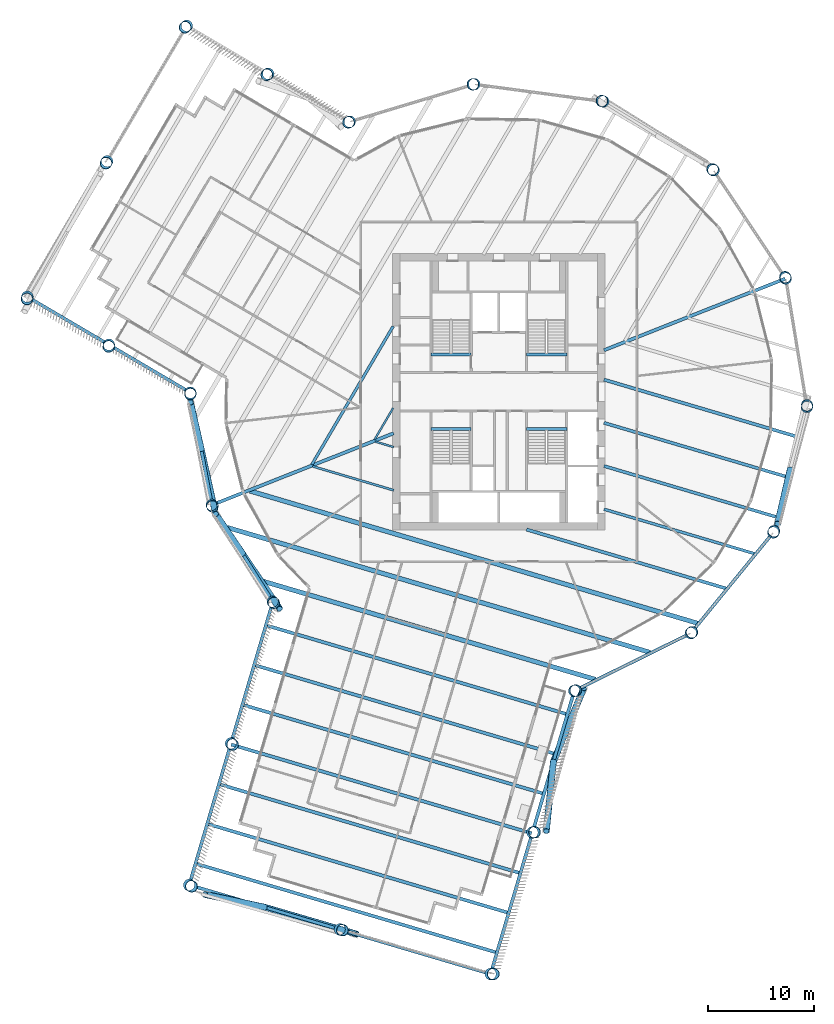
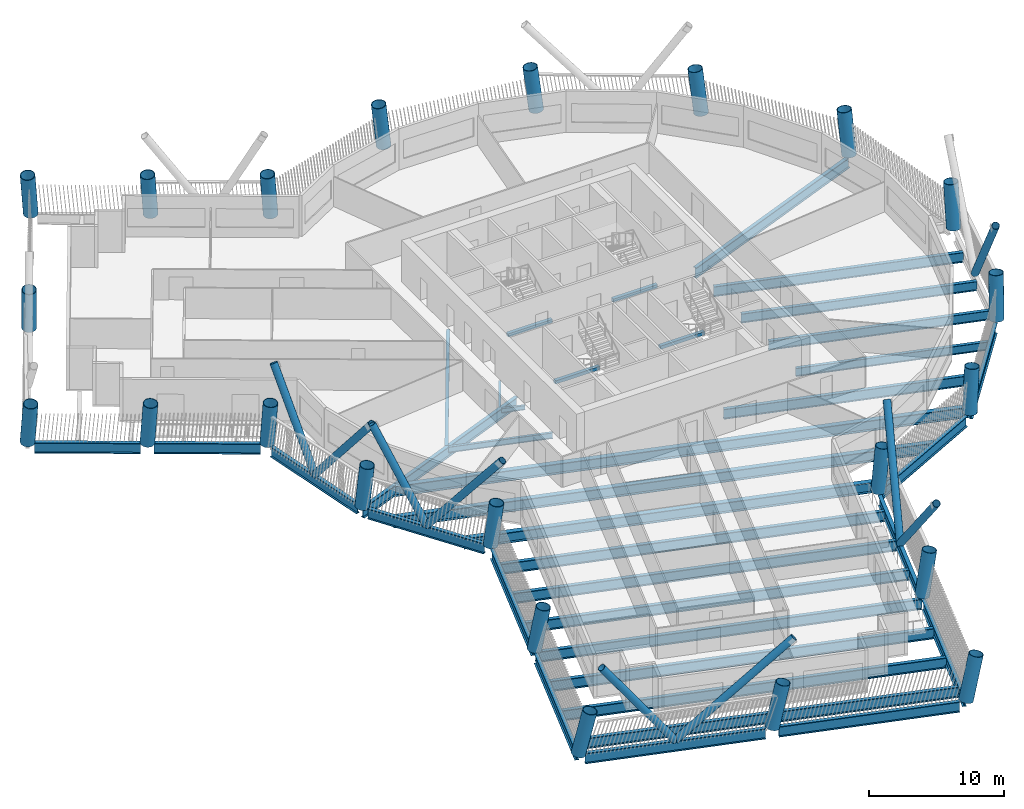
# One storey, part 1 of 23: 37 beams, 22 columns, 9 members.
"""IFC4 building model written with IfcOpenShell, lengths in metres."""

from ifc_helpers import new_model, si_unit, direction, frame, origin, origin_2d, place, context, subcontext, project, spatial, rectangle, hollow_circle, i_section, extrude, material, material_profile, profile_set, type_object, element, save


model = new_model("IFC4")

# Units and contexts
model_context = context("Model", 3, precision=1e-05, world=origin(), true_north=direction((0.0, 1.0)))
body_context = subcontext(model_context, "Body", "Model", "MODEL_VIEW")
ifc_project = project(units=[si_unit("LENGTHUNIT", "METRE"), si_unit("AREAUNIT", "SQUARE_METRE"), si_unit("VOLUMEUNIT", "CUBIC_METRE"), si_unit("PLANEANGLEUNIT", "RADIAN"), si_unit("MASSUNIT", "GRAM", prefix="KILO")], contexts=[model_context])

# Site, building, storey
site_placement = place(None, origin())
site = spatial("IfcSite", under=ifc_project, at=site_placement, CompositionType="ELEMENT")
building_placement = place(site_placement, origin())
building = spatial("IfcBuilding", under=site, at=building_placement, Name="Tarsis Ring Headquarters", CompositionType="ELEMENT")
storey_placement = place(building_placement, frame((0.0, 0.0, 155.39990234375)))
storey = spatial("IfcBuildingStorey", under=building, at=storey_placement, Name="L35", CompositionType="ELEMENT", Elevation=155.39990234375)

# Columns
ifc_material_1 = material(Name="Structural steel S355", Category="steel")
ifc_material_profile_1 = material_profile(ifc_material_1, hollow_circle(Radius=0.558837890625, WallThickness=0.044921875, at=origin_2d()), Name="CHS 1118x45")
ifc_profile_set_1 = profile_set([ifc_material_profile_1], Name="Structural steel S355")
column_type = type_object("IfcColumnType", Name="XC Exo column CHS 1118x45", PredefinedType="COLUMN", material=ifc_profile_set_1)
for number, where, z_axis, x_axis, name in (
    (1, (-27.019775390625, -10.665283203125, 0.001220703125), (0.04354610156, -0.107745497002, 0.993224367862), (0.927141722235, 0.374710857716, 0.0), "Exo column XC4 F1"),
    (2, (-21.27587890625, -19.77783203125, 0.001220703125), (0.079813717034, -0.0844793669, 0.993223543389), (0.726894387202, 0.686749262725, 0.0), "Exo column XC4 AK"),
):
    element("IfcColumn", number, at=place(storey_placement, frame(where, z_axis=z_axis, x_axis=x_axis)), inside=storey, type_object=column_type, Name=name, PredefinedType="COLUMN", context=body_context, shape_type="SweptSolid", body=[
        extrude(hollow_circle(Radius=0.558837890625, WallThickness=0.044921875, at=origin_2d()), origin(), (0.0, 0.0, 1.0), 3.924560546875),
    ])
column_1_placement = place(storey_placement, frame((-25.21484375, -33.1103515625, 0.00146484375), z_axis=(0.132338670116, -0.099099545689, 0.986238184434), x_axis=(0.599401925268, 0.800448206935, 0.0)))
element("IfcColumn", 3, at=column_1_placement, inside=storey, type_object=column_type, Name="Exo column XC4 AI1", PredefinedType="COLUMN", context=body_context, shape_type="SweptSolid", body=[
    extrude(hollow_circle(Radius=0.558837890625, WallThickness=0.044921875, at=origin_2d()), origin(), (0.0, 0.0, 1.0), 3.95166015625),
])
column_2_placement = place(storey_placement, frame((-29.15380859375, -46.44287109375, 0.001708984375), z_axis=(0.183536529718, -0.113180859993, 0.976475516944), x_axis=(0.524888702996, 0.851170869724, 0.0)))
element("IfcColumn", 4, at=column_2_placement, inside=storey, type_object=column_type, Name="Exo column XC4 AT1", PredefinedType="COLUMN", context=body_context, shape_type="SweptSolid", body=[
    extrude(hollow_circle(Radius=0.558837890625, WallThickness=0.044921875, at=origin_2d()), origin(), (0.0, 0.0, 1.0), 3.99072265625),
])
column_3_placement = place(storey_placement, frame((-14.96044921875, -50.63623046875, 0.001708984375), z_axis=(0.1999633577, -0.05736000699, 0.978122939704), x_axis=(0.275732573349, 0.961234387647, 0.0)))
element("IfcColumn", 5, at=column_3_placement, inside=storey, type_object=column_type, Name="Exo column XC4 AT2", PredefinedType="COLUMN", context=body_context, shape_type="SweptSolid", body=[
    extrude(hollow_circle(Radius=0.558837890625, WallThickness=0.044921875, at=origin_2d()), origin(), (0.0, 0.0, 1.0), 3.98388671875),
])
column_4_placement = place(storey_placement, frame((-0.766845703125, -54.82958984375, 0.001708984375), z_axis=(0.215653965902, -0.001345925461, 0.97646892192), x_axis=(0.006241013204, 0.999980524687, 0.0)))
element("IfcColumn", 6, at=column_4_placement, inside=storey, type_object=column_type, Name="Exo column XC4 AT3", PredefinedType="COLUMN", context=body_context, shape_type="SweptSolid", body=[
    extrude(hollow_circle(Radius=0.558837890625, WallThickness=0.044921875, at=origin_2d()), origin(), (0.0, 0.0, 1.0), 3.99072265625),
])
column_5_placement = place(storey_placement, frame((3.172119140625, -41.4970703125, 0.00146484375), z_axis=(0.164773821784, 0.013901053581, 0.986233414747), x_axis=(-0.084065821464, 0.996460203752, 0.0)))
element("IfcColumn", 7, at=column_5_placement, inside=storey, type_object=column_type, Name="Exo column XC4 AO1", PredefinedType="COLUMN", context=body_context, shape_type="SweptSolid", body=[
    extrude(hollow_circle(Radius=0.558837890625, WallThickness=0.044921875, at=origin_2d()), origin(), (0.0, 0.0, 1.0), 3.95166015625),
])
for number, where, z_axis, x_axis, name in (
    (8, (7.111083984375, -28.16455078125, 0.001220703125), (0.112473167724, 0.02930025553, 0.993222674715), (-0.252095058649, 0.967702475663, 0.0), "Exo column XC4 AJ"),
    (9, (18.088134765625, -22.7294921875, 0.001220703125), (0.090389324386, 0.073033081094, 0.99322501937), (-0.628474164109, 0.77783046035, 0.0), "Exo column XC4 R1"),
    (10, (25.84912109375, -13.253173828125, 0.001220703125), (0.052193147694, 0.10382641657, 0.993225025136), (-0.893461525376, 0.449139736244, 0.0), "Exo column XC4 R2"),
    (11, (29.013671875, -1.420166015625, 0.001220703125), (0.004790089144, 0.116081900543, 0.993228094353), (-0.999149696478, 0.041229649855, 0.0), "Exo column XC4 R3"),
    (12, (27.019775390625, 10.665283203125, 0.001220703125), (-0.04354610156, 0.107745497002, 0.993224367862), (-0.927141722235, -0.374710857716, 0.0), "Exo column XC4 R4"),
    (13, (20.221435546875, 20.8544921875, 0.001220703125), (-0.084044480468, 0.080187516894, 0.993230329499), (-0.690310145633, -0.723513581653, 0.0), "Exo column XC4 R5"),
    (14, (9.827880859375, 27.33544921875, 0.001220703125), (-0.109673910128, 0.038444966795, 0.993223850884), (-0.330803408116, -0.943699690144, 0.0), "Exo column XC4 R6"),
    (15, (-2.313232421875, 28.956298828125, 0.001220703125), (-0.115770333396, -0.01020222175, 0.993223612575), (0.087784458249, -0.996139492687, 0.0), "Exo column XC4 R7"),
    (16, (-14.043212890625, 25.428466796875, 0.001220703125), (-0.101275865735, -0.056983226667, 0.993225105854), (0.490362901471, -0.871518344535, 0.0), "Exo column XC4 BJ"),
):
    element("IfcColumn", number, at=place(storey_placement, frame(where, z_axis=z_axis, x_axis=x_axis)), inside=storey, type_object=column_type, Name=name, PredefinedType="COLUMN", context=body_context, shape_type="SweptSolid", body=[
        extrude(hollow_circle(Radius=0.558837890625, WallThickness=0.044921875, at=origin_2d()), origin(), (0.0, 0.0, 1.0), 3.924560546875),
    ])
column_6_placement = place(storey_placement, frame((-21.716796875, 29.941162109375, 0.001220703125), z_axis=(-0.118579180494, -0.087416522297, 0.989089141373), x_axis=(0.593385510474, -0.804918403293, 0.0)))
element("IfcColumn", 17, at=column_6_placement, inside=storey, type_object=column_type, Name="Exo column XC4 BO1", PredefinedType="COLUMN", context=body_context, shape_type="SweptSolid", body=[
    extrude(hollow_circle(Radius=0.558837890625, WallThickness=0.044921875, at=origin_2d()), origin(), (0.0, 0.0, 1.0), 3.940673828125),
])
column_7_placement = place(storey_placement, frame((-29.390380859375, 34.4541015625, 0.00146484375), z_axis=(-0.135582046445, -0.117524982986, 0.983771003362), x_axis=(0.654995917175, -0.755632416248, 0.0)))
element("IfcColumn", 18, at=column_7_placement, inside=storey, type_object=column_type, Name="Exo column XC4 BT3", PredefinedType="COLUMN", context=body_context, shape_type="SweptSolid", body=[
    extrude(hollow_circle(Radius=0.558837890625, WallThickness=0.044921875, at=origin_2d()), origin(), (0.0, 0.0, 1.0), 3.96142578125),
])
column_8_placement = place(storey_placement, frame((-36.89306640625, 21.69677734375, 0.00146484375), z_axis=(-0.084946455589, -0.147112938712, 0.985465312909), x_axis=(0.865997973348, -0.5000475079, 0.0)))
element("IfcColumn", 19, at=column_8_placement, inside=storey, type_object=column_type, Name="Exo column XC4 BT2", PredefinedType="COLUMN", context=body_context, shape_type="SweptSolid", body=[
    extrude(hollow_circle(Radius=0.558837890625, WallThickness=0.044921875, at=origin_2d()), origin(), (0.0, 0.0, 1.0), 3.95458984375),
])
column_9_placement = place(storey_placement, frame((-44.3955078125, 8.939208984375, 0.00146484375), z_axis=(-0.03408056941, -0.176134299049, 0.983776002699), x_axis=(0.981790185853, -0.189968499922, 0.0)))
element("IfcColumn", 20, at=column_9_placement, inside=storey, type_object=column_type, Name="Exo column XC4 BT1", PredefinedType="COLUMN", context=body_context, shape_type="SweptSolid", body=[
    extrude(hollow_circle(Radius=0.558837890625, WallThickness=0.044921875, at=origin_2d()), origin(), (0.0, 0.0, 1.0), 3.96142578125),
])
column_10_placement = place(storey_placement, frame((-36.721923828125, 4.426513671875, 0.001220703125), z_axis=(-0.016479649645, -0.146396286132, 0.989088746551), x_axis=(0.99372372205, -0.111862255635, 0.0)))
element("IfcColumn", 21, at=column_10_placement, inside=storey, type_object=column_type, Name="Exo column XC4 BI1", PredefinedType="COLUMN", context=body_context, shape_type="SweptSolid", body=[
    extrude(hollow_circle(Radius=0.558837890625, WallThickness=0.044921875, at=origin_2d()), origin(), (0.0, 0.0, 1.0), 3.940673828125),
])
column_11_placement = place(storey_placement, frame((-29.04833984375, -0.08642578125, 0.001220703125), z_axis=(0.001244183322, -0.116144513121, 0.993231546056), x_axis=(0.999942627472, 0.010711758195, 0.0)))
element("IfcColumn", 22, at=column_11_placement, inside=storey, type_object=column_type, Name="Exo column XC4 BK", PredefinedType="COLUMN", context=body_context, shape_type="SweptSolid", body=[
    extrude(hollow_circle(Radius=0.558837890625, WallThickness=0.044921875, at=origin_2d()), origin(), (0.0, 0.0, 1.0), 3.924560546875),
])

# Beams
ifc_material_profile_2 = material_profile(ifc_material_1, i_section(OverallWidth=0.177734375, OverallDepth=0.406494140625, WebThickness=0.0078125, FlangeThickness=0.0126953125, at=origin_2d()), Name="W16x40")
ifc_profile_set_2 = profile_set([ifc_material_profile_2], Name="Structural steel S355")
beam_type_1 = type_object("IfcBeamType", Name="FB Floor beam W16x40", PredefinedType="JOIST", material=ifc_profile_set_2)
beam_1_placement = place(storey_placement, frame((-11.638916015625, -4.694580078125, -0.363037109375), z_axis=(0.959036042855, -0.283284077393, 0.0), x_axis=(0.283284077393, 0.959036042855, 0.0)))
element("IfcBeam", 23, at=beam_1_placement, inside=storey, type_object=beam_type_1, Name="Floor beam FB1", PredefinedType="JOIST", context=body_context, shape_type="SweptSolid", body=[
    extrude(i_section(OverallWidth=0.177734375, OverallDepth=0.406494140625, WebThickness=0.0078125, FlangeThickness=0.0126953125, at=origin_2d()), origin(), (0.0, 0.0, 1.0), 1.80908203125),
])
beam_2_placement = place(storey_placement, frame((-9.94921875, -1.531005859375, -0.363037109375), z_axis=(-0.506940145332, -0.861981257947, 0.0), x_axis=(0.861981257947, -0.506940145332, 0.0)))
element("IfcBeam", 24, at=beam_2_placement, inside=storey, type_object=beam_type_1, Name="Floor beam FB1", PredefinedType="JOIST", context=body_context, shape_type="SweptSolid", body=[
    extrude(i_section(OverallWidth=0.177734375, OverallDepth=0.406494140625, WebThickness=0.0078125, FlangeThickness=0.0126953125, at=origin_2d()), origin(), (0.0, 0.0, 1.0), 3.468505859375),
])
ifc_material_profile_3 = material_profile(ifc_material_1, i_section(OverallWidth=0.209228515625, OverallDepth=0.533447265625, WebThickness=0.01025390625, FlangeThickness=0.015625, at=origin_2d()), Name="W21x62")
ifc_profile_set_3 = profile_set([ifc_material_profile_3], Name="Structural steel S355")
beam_type_2 = type_object("IfcBeamType", Name="FB Floor beam W21x62", PredefinedType="JOIST", material=ifc_profile_set_3)
beam_3_placement = place(storey_placement, frame((-17.53125, -7.020263671875, -0.426513671875), z_axis=(0.959020172571, -0.283337799457, 0.0), x_axis=(0.283337799457, 0.959020172571, 0.0)))
element("IfcBeam", 25, at=beam_3_placement, inside=storey, type_object=beam_type_2, Name="Floor beam FB3", PredefinedType="JOIST", context=body_context, shape_type="SweptSolid", body=[
    extrude(i_section(OverallWidth=0.209228515625, OverallDepth=0.533447265625, WebThickness=0.01025390625, FlangeThickness=0.015625, at=origin_2d()), origin(), (0.0, 0.0, 1.0), 7.953125),
])
ifc_material_profile_4 = material_profile(ifc_material_1, i_section(OverallWidth=0.2666015625, OverallDepth=0.7568359375, WebThickness=0.013916015625, FlangeThickness=0.019287109375, at=origin_2d()), Name="W30x108")
ifc_profile_set_4 = profile_set([ifc_material_profile_4], Name="Structural steel S355")
beam_type_3 = type_object("IfcBeamType", Name="FB Floor beam W30x108", PredefinedType="JOIST", material=ifc_profile_set_4)
beam_4_placement = place(storey_placement, frame((9.904052734375, -11.0595703125, -0.538330078125), z_axis=(0.959019741784, -0.283339257548, 0.0), x_axis=(0.283339257548, 0.959019741784, 0.0)))
element("IfcBeam", 26, at=beam_4_placement, inside=storey, type_object=beam_type_3, Name="Floor beam FB6", PredefinedType="JOIST", context=body_context, shape_type="SweptSolid", body=[
    extrude(i_section(OverallWidth=0.2666015625, OverallDepth=0.7568359375, WebThickness=0.013916015625, FlangeThickness=0.019287109375, at=origin_2d()), origin(), (0.0, 0.0, 1.0), 14.827392578125),
])
beam_5_placement = place(storey_placement, frame((-9.94921875, 6.162353515625, -0.538330078125), z_axis=(-0.506934582107, -0.861984529712, 0.0), x_axis=(0.861984529712, -0.506934582107, 0.0)))
element("IfcBeam", 27, at=beam_5_placement, inside=storey, type_object=beam_type_3, Name="Floor beam FB6", PredefinedType="JOIST", context=body_context, shape_type="SweptSolid", body=[
    extrude(i_section(OverallWidth=0.2666015625, OverallDepth=0.7568359375, WebThickness=0.013916015625, FlangeThickness=0.019287109375, at=origin_2d()), origin(), (0.0, 0.0, 1.0), 15.092041015625),
])
ifc_material_profile_5 = material_profile(ifc_material_1, i_section(OverallWidth=0.2919921875, OverallDepth=0.835693359375, WebThickness=0.013916015625, FlangeThickness=0.018798828125, at=origin_2d()), Name="W33x118")
ifc_profile_set_5 = profile_set([ifc_material_profile_5], Name="Structural steel S355")
beam_type_4 = type_object("IfcBeamType", Name="FB Floor beam W33x118", PredefinedType="JOIST", material=ifc_profile_set_5)
beam_6_placement = place(storey_placement, frame((9.904052734375, -2.92626953125, -0.57763671875), z_axis=(0.959017708059, -0.283346141017, 0.0), x_axis=(0.283346141017, 0.959017708059, 0.0)))
element("IfcBeam", 28, at=beam_6_placement, inside=storey, type_object=beam_type_4, Name="Floor beam FB7", PredefinedType="JOIST", context=body_context, shape_type="SweptSolid", body=[
    extrude(i_section(OverallWidth=0.2919921875, OverallDepth=0.835693359375, WebThickness=0.013916015625, FlangeThickness=0.018798828125, at=origin_2d()), origin(), (0.0, 0.0, 1.0), 18.022705078125),
])
beam_7_placement = place(storey_placement, frame((9.904052734375, -6.992919921875, -0.57763671875), z_axis=(0.959017974578, -0.283345238953, 0.0), x_axis=(0.283345238953, 0.959017974578, 0.0)))
element("IfcBeam", 29, at=beam_7_placement, inside=storey, type_object=beam_type_4, Name="Floor beam FB7", PredefinedType="JOIST", context=body_context, shape_type="SweptSolid", body=[
    extrude(i_section(OverallWidth=0.2919921875, OverallDepth=0.835693359375, WebThickness=0.013916015625, FlangeThickness=0.018798828125, at=origin_2d()), origin(), (0.0, 0.0, 1.0), 16.9716796875),
])
ifc_material_profile_6 = material_profile(ifc_material_1, i_section(OverallWidth=0.3046875, OverallDepth=0.904296875, WebThickness=0.01513671875, FlangeThickness=0.02001953125, at=origin_2d()), Name="W36x135")
ifc_profile_set_6 = profile_set([ifc_material_profile_6], Name="Structural steel S355")
beam_type_5 = type_object("IfcBeamType", Name="FB Floor beam W36x135", PredefinedType="JOIST", material=ifc_profile_set_6)
beam_8_placement = place(storey_placement, frame((9.904052734375, 1.140380859375, -0.612060546875), z_axis=(0.959017470914, -0.283346943659, 0.0), x_axis=(0.283346943659, 0.959017470914, 0.0)))
element("IfcBeam", 30, at=beam_8_placement, inside=storey, type_object=beam_type_5, Name="Floor beam FB8", PredefinedType="JOIST", context=body_context, shape_type="SweptSolid", body=[
    extrude(i_section(OverallWidth=0.3046875, OverallDepth=0.904296875, WebThickness=0.01513671875, FlangeThickness=0.02001953125, at=origin_2d()), origin(), (0.0, 0.0, 1.0), 19.073974609375),
])
beam_9_placement = place(storey_placement, frame((2.61181640625, -12.9716796875, -0.612060546875), z_axis=(0.959018092004, -0.283344841507, 0.0), x_axis=(0.283344841507, 0.959018092004, 0.0)))
element("IfcBeam", 31, at=beam_9_placement, inside=storey, type_object=beam_type_5, Name="Floor beam FB8", PredefinedType="JOIST", context=body_context, shape_type="SweptSolid", body=[
    extrude(i_section(OverallWidth=0.3046875, OverallDepth=0.904296875, WebThickness=0.01513671875, FlangeThickness=0.02001953125, at=origin_2d()), origin(), (0.0, 0.0, 1.0), 19.635009765625),
])
ifc_material_profile_7 = material_profile(ifc_material_1, i_section(OverallWidth=0.309814453125, OverallDepth=0.949951171875, WebThickness=0.0244140625, FlangeThickness=0.0439453125, at=origin_2d()), Name="W36x256")
ifc_profile_set_7 = profile_set([ifc_material_profile_7], Name="Structural steel S355")
beam_type_6 = type_object("IfcBeamType", Name="FB Floor beam W36x256", PredefinedType="JOIST", material=ifc_profile_set_7)
beam_10_placement = place(storey_placement, frame((-21.876220703125, -22.003173828125, -0.635009765625), z_axis=(0.959017810313, -0.283345794926, 0.0), x_axis=(0.283345794926, 0.959017810313, 0.0)))
element("IfcBeam", 32, at=beam_10_placement, inside=storey, type_object=beam_type_6, Name="Floor beam FB11", PredefinedType="JOIST", context=body_context, shape_type="SweptSolid", body=[
    extrude(i_section(OverallWidth=0.309814453125, OverallDepth=0.949951171875, WebThickness=0.0244140625, FlangeThickness=0.0439453125, at=origin_2d()), origin(), (0.0, 0.0, 1.0), 29.490234375),
])
for number, where, z_axis, x_axis, name in (
    (33, (-22.981201171875, -25.743408203125, -0.635009765625), (0.959017145654, -0.283348044536, 0.0), (0.283348044536, 0.959017145654, 0.0), "Floor beam FB11"),
    (34, (-24.086181640625, -29.483642578125, -0.635009765625), (0.959019395256, -0.28334043044, 0.0), (0.28334043044, 0.959019395256, 0.0), "Floor beam FB11"),
    (35, (-25.191162109375, -33.2236328125, -0.635009765625), (0.959017145654, -0.283348044536, 0.0), (0.283348044536, 0.959017145654, 0.0), "Floor beam FB11"),
    (36, (-26.29638671875, -36.9638671875, -0.635009765625), (0.959017145654, -0.283348044536, 0.0), (0.283348044536, 0.959017145654, 0.0), "Floor beam FB11"),
    (37, (-27.4013671875, -40.7041015625, -0.635009765625), (0.959017145654, -0.283348044536, 0.0), (0.283348044536, 0.959017145654, 0.0), "Floor beam FB11"),
    (38, (-28.50634765625, -44.4443359375, -0.635009765625), (0.959019395256, -0.28334043044, 0.0), (0.28334043044, 0.959019395256, 0.0), "Floor beam FB11"),
):
    element("IfcBeam", number, at=place(storey_placement, frame(where, z_axis=z_axis, x_axis=x_axis)), inside=storey, type_object=beam_type_6, Name=name, PredefinedType="JOIST", context=body_context, shape_type="SweptSolid", body=[
        extrude(i_section(OverallWidth=0.309814453125, OverallDepth=0.949951171875, WebThickness=0.0244140625, FlangeThickness=0.0439453125, at=origin_2d()), origin(), (0.0, 0.0, 1.0), 29.489990234375),
    ])
beam_type_7 = type_object("IfcBeamType", Name="FB Floor beam W36x256 spine", PredefinedType="BEAM", material=ifc_profile_set_7)
beam_11_placement = place(storey_placement, frame((-9.906982421875, -3.910400390625, -0.635009765625), z_axis=(-0.930159049762, -0.367156835897, 0.0), x_axis=(0.367156835897, -0.930159049762, 0.0)))
element("IfcBeam", 39, at=beam_11_placement, inside=storey, type_object=beam_type_7, Name="Floor beam SB11", PredefinedType="BEAM", context=body_context, shape_type="SweptSolid", body=[
    extrude(i_section(OverallWidth=0.309814453125, OverallDepth=0.949951171875, WebThickness=0.0244140625, FlangeThickness=0.0439453125, at=origin_2d()), origin(), (0.0, 0.0, 1.0), 18.33984375),
])
beam_12_placement = place(storey_placement, frame((26.96533203125, 10.643798828125, -0.635009765625), z_axis=(-0.930158212427, -0.367158957203, 0.0), x_axis=(0.367158957203, -0.930158212427, 0.0)))
element("IfcBeam", 40, at=beam_12_placement, inside=storey, type_object=beam_type_7, Name="Floor beam SB11", PredefinedType="BEAM", context=body_context, shape_type="SweptSolid", body=[
    extrude(i_section(OverallWidth=0.309814453125, OverallDepth=0.949951171875, WebThickness=0.0244140625, FlangeThickness=0.0439453125, at=origin_2d()), origin(), (0.0, 0.0, 1.0), 18.339111328125),
])
ifc_material_profile_8 = material_profile(ifc_material_1, i_section(OverallWidth=0.42431640625, OverallDepth=0.947509765625, WebThickness=0.02392578125, FlangeThickness=0.042724609375, at=origin_2d()), Name="W36x302")
ifc_profile_set_8 = profile_set([ifc_material_profile_8], Name="Structural steel S355")
beam_type_8 = type_object("IfcBeamType", Name="FB Floor beam W36x302", PredefinedType="JOIST", material=ifc_profile_set_8)
beam_13_placement = place(storey_placement, frame((-23.423583984375, -9.345947265625, -0.633544921875), z_axis=(0.95901681684, -0.283349157435, 0.0), x_axis=(0.283349157435, 0.95901681684, 0.0)))
element("IfcBeam", 41, at=beam_13_placement, inside=storey, type_object=beam_type_8, Name="Floor beam FB12", PredefinedType="JOIST", context=body_context, shape_type="SweptSolid", body=[
    extrude(i_section(OverallWidth=0.42431640625, OverallDepth=0.947509765625, WebThickness=0.02392578125, FlangeThickness=0.042724609375, at=origin_2d()), origin(), (0.0, 0.0, 1.0), 43.98681640625),
])
beam_14_placement = place(storey_placement, frame((-25.58544921875, -12.77392578125, -0.633544921875), z_axis=(0.959017526505, -0.283346755506, 0.0), x_axis=(0.283346755506, 0.959017526505, 0.0)))
element("IfcBeam", 42, at=beam_14_placement, inside=storey, type_object=beam_type_8, Name="Floor beam FB12", PredefinedType="JOIST", context=body_context, shape_type="SweptSolid", body=[
    extrude(i_section(OverallWidth=0.42431640625, OverallDepth=0.947509765625, WebThickness=0.02392578125, FlangeThickness=0.042724609375, at=origin_2d()), origin(), (0.0, 0.0, 1.0), 41.523681640625),
])
beam_15_placement = place(storey_placement, frame((-22.435302734375, -17.771240234375, -0.633544921875), z_axis=(0.959017111841, -0.283348158978, 0.0), x_axis=(0.283348158978, 0.959017111841, 0.0)))
element("IfcBeam", 43, at=beam_15_placement, inside=storey, type_object=beam_type_8, Name="Floor beam FB12", PredefinedType="JOIST", context=body_context, shape_type="SweptSolid", body=[
    extrude(i_section(OverallWidth=0.42431640625, OverallDepth=0.947509765625, WebThickness=0.02392578125, FlangeThickness=0.042724609375, at=origin_2d()), origin(), (0.0, 0.0, 1.0), 32.87548828125),
])
ifc_material_2 = material(Name="Concrete C40/50", Category="concrete")
ifc_material_profile_9 = material_profile(ifc_material_2, rectangle(XDim=0.300048828125, YDim=0.300048828125, at=origin_2d()), Name="Stair head beam 300x300 C40/50")
ifc_profile_set_9 = profile_set([ifc_material_profile_9], Name="Concrete C40/50")
beam_type_9 = type_object("IfcBeamType", Name="Stair head beam 300x300 C40/50", PredefinedType="BEAM", material=ifc_profile_set_9)
for number, where, z_axis, x_axis, name in (
    (44, (-6.39990234375, 3.510009765625, -0.309814453125), (1.0, 0.0, 0.0), (0.0, 1.0, 0.0), "Stair head beam L35 Firefighting stair"),
    (45, (2.60009765625, 3.510009765625, -0.309814453125), (1.0, 0.0, 0.0), (0.0, 1.0, 0.0), "Stair head beam L35 Exit stair B"),
    (46, (-6.39990234375, -3.510009765625, -0.309814453125), (1.0, 0.0, 0.0), (0.0, 1.0, 0.0), "Stair head beam L35 Exit stair C"),
    (47, (2.60009765625, -3.510009765625, -0.309814453125), (1.0, 0.0, 0.0), (0.0, 1.0, 0.0), "Stair head beam L35 Exit stair D"),
):
    element("IfcBeam", number, at=place(storey_placement, frame(where, z_axis=z_axis, x_axis=x_axis)), inside=storey, type_object=beam_type_9, Name=name, PredefinedType="BEAM", context=body_context, shape_type="SweptSolid", body=[
        extrude(rectangle(XDim=0.300048828125, YDim=0.300048828125, at=origin_2d()), origin(), (0.0, 0.0, 1.0), 3.7998046875),
    ])

# Members
ifc_material_profile_10 = material_profile(ifc_material_1, hollow_circle(Radius=0.3046875, WallThickness=0.02490234375, at=origin_2d()), Name="CHS 610x25")
ifc_profile_set_10 = profile_set([ifc_material_profile_10], Name="Structural steel S355")
member_type = type_object("IfcMemberType", Name="XD X brace CHS 610x25", PredefinedType="BRACE", material=ifc_profile_set_10)
member_1_placement = place(storey_placement, frame((-24.147705078125, -15.221435546875, 0.0), z_axis=(0.349822649859, -0.520675339766, 0.778794776694), x_axis=(0.830054096951, 0.557682881336, 0.0)))
element("IfcMember", 48, at=member_1_placement, inside=storey, type_object=member_type, Name="X brace XD1", PredefinedType="BRACE", context=body_context, shape_type="SweptSolid", body=[
    extrude(hollow_circle(Radius=0.3046875, WallThickness=0.02490234375, at=origin_2d()), origin(), (0.0, 0.0, 1.0), 10.015625),
])
member_2_placement = place(storey_placement, frame((-24.147705078125, -15.221435546875, 0.0), z_axis=(-0.280417228433, 0.41255540389, 0.866697303976), x_axis=(-0.827038759656, -0.562144901273, 0.0)))
element("IfcMember", 49, at=member_2_placement, inside=storey, type_object=member_type, Name="X brace XD1", PredefinedType="BRACE", context=body_context, shape_type="SweptSolid", body=[
    extrude(hollow_circle(Radius=0.3046875, WallThickness=0.02490234375, at=origin_2d()), origin(), (0.0, 0.0, 1.0), 8.999755859375),
])
member_3_placement = place(storey_placement, frame((-22.057373046875, -48.539306640625, 0.0), z_axis=(0.727339385613, -0.212628263376, 0.652507961445), x_axis=(0.280592967727, 0.959826852334, 0.0)))
element("IfcMember", 50, at=member_3_placement, inside=storey, type_object=member_type, Name="X brace XD1", PredefinedType="BRACE", context=body_context, shape_type="SweptSolid", body=[
    extrude(hollow_circle(Radius=0.3046875, WallThickness=0.02490234375, at=origin_2d()), origin(), (0.0, 0.0, 1.0), 11.953857421875),
])
member_4_placement = place(storey_placement, frame((-22.057373046875, -48.539306640625, 0.0), z_axis=(-0.580288313472, 0.124225131272, 0.804881103026), x_axis=(-0.209331940463, -0.977844639348, 0.0)))
element("IfcMember", 51, at=member_4_placement, inside=storey, type_object=member_type, Name="X brace XD1", PredefinedType="BRACE", context=body_context, shape_type="SweptSolid", body=[
    extrude(hollow_circle(Radius=0.3046875, WallThickness=0.02490234375, at=origin_2d()), origin(), (0.0, 0.0, 1.0), 9.69091796875),
])
member_5_placement = place(storey_placement, frame((5.1416015625, -34.830810546875, 0.0), z_axis=(0.263963020397, 0.639244464264, 0.722281135549), x_axis=(-0.924298531495, 0.381670308874, 0.0)))
element("IfcMember", 52, at=member_5_placement, inside=storey, type_object=member_type, Name="X brace XD1", PredefinedType="BRACE", context=body_context, shape_type="SweptSolid", body=[
    extrude(hollow_circle(Radius=0.3046875, WallThickness=0.02490234375, at=origin_2d()), origin(), (0.0, 0.0, 1.0), 10.799072265625),
])
member_6_placement = place(storey_placement, frame((5.1416015625, -34.830810546875, 0.0), z_axis=(-0.06543219872, -0.641474787675, 0.764348561945), x_axis=(0.994837965282, -0.101476218068, 0.0)))
element("IfcMember", 53, at=member_6_placement, inside=storey, type_object=member_type, Name="X brace XD1", PredefinedType="BRACE", context=body_context, shape_type="SweptSolid", body=[
    extrude(hollow_circle(Radius=0.3046875, WallThickness=0.02490234375, at=origin_2d()), origin(), (0.0, 0.0, 1.0), 10.204833984375),
])
member_7_placement = place(storey_placement, frame((27.431396484375, -7.336669921875, 0.0), z_axis=(-0.125518968916, -0.542780515406, 0.830442231909), x_axis=(0.97428808144, -0.225305868464, 0.0)))
element("IfcMember", 54, at=member_7_placement, inside=storey, type_object=member_type, Name="X brace XD1", PredefinedType="BRACE", context=body_context, shape_type="SweptSolid", body=[
    extrude(hollow_circle(Radius=0.3046875, WallThickness=0.02490234375, at=origin_2d()), origin(), (0.0, 0.0, 1.0), 9.392578125),
])
member_8_placement = place(storey_placement, frame((-28.0341796875, -5.375732421875, 0.0), z_axis=(0.136068990905, -0.612334835461, 0.778801180658), x_axis=(0.976188888903, 0.216922228418, 0.0)))
element("IfcMember", 55, at=member_8_placement, inside=storey, type_object=member_type, Name="X brace XD1", PredefinedType="BRACE", context=body_context, shape_type="SweptSolid", body=[
    extrude(hollow_circle(Radius=0.3046875, WallThickness=0.02490234375, at=origin_2d()), origin(), (0.0, 0.0, 1.0), 10.015380859375),
])
member_9_placement = place(storey_placement, frame((-28.0341796875, -5.375732421875, 0.0), z_axis=(-0.110789169215, 0.486370963479, 0.866700089921), x_axis=(-0.975024294525, -0.222098232966, 0.0)))
element("IfcMember", 56, at=member_9_placement, inside=storey, type_object=member_type, Name="X brace XD1", PredefinedType="BRACE", context=body_context, shape_type="SweptSolid", body=[
    extrude(hollow_circle(Radius=0.3046875, WallThickness=0.02490234375, at=origin_2d()), origin(), (0.0, 0.0, 1.0), 8.999755859375),
])

# Beams
beam_type_10 = type_object("IfcBeamType", Name="XG Ring girder W36x256", PredefinedType="BEAM", material=ifc_profile_set_7)
beam_16_placement = place(storey_placement, frame((-26.751708984375, -11.090576171875, -0.474853515625), z_axis=(0.533248811294, -0.845958453621, 0.0), x_axis=(0.845958453621, 0.533248811294, 0.0)))
element("IfcBeam", 57, at=beam_16_placement, inside=storey, type_object=beam_type_10, Name="Ring girder XG2", PredefinedType="BEAM", context=body_context, shape_type="SweptSolid", body=[
    extrude(i_section(OverallWidth=0.309814453125, OverallDepth=0.949951171875, WebThickness=0.0244140625, FlangeThickness=0.0439453125, at=origin_2d()), origin(), (0.0, 0.0, 1.0), 9.76611328125),
])
beam_17_placement = place(storey_placement, frame((-21.41845703125, -20.260009765625, -0.474853515625), z_axis=(-0.283338622613, -0.959019929374, 0.0), x_axis=(0.959019929374, -0.283338622613, 0.0)))
element("IfcBeam", 58, at=beam_17_placement, inside=storey, type_object=beam_type_10, Name="Ring girder XG2", PredefinedType="BEAM", context=body_context, shape_type="SweptSolid", body=[
    extrude(i_section(OverallWidth=0.309814453125, OverallDepth=0.949951171875, WebThickness=0.0244140625, FlangeThickness=0.0439453125, at=origin_2d()), origin(), (0.0, 0.0, 1.0), 12.896484375),
])
beam_18_placement = place(storey_placement, frame((-25.357421875, -33.592529296875, -0.474853515625), z_axis=(-0.283361177967, -0.959013265196, 0.0), x_axis=(0.959013265196, -0.283361177967, 0.0)))
element("IfcBeam", 59, at=beam_18_placement, inside=storey, type_object=beam_type_10, Name="Ring girder XG2", PredefinedType="BEAM", context=body_context, shape_type="SweptSolid", body=[
    extrude(i_section(OverallWidth=0.309814453125, OverallDepth=0.949951171875, WebThickness=0.0244140625, FlangeThickness=0.0439453125, at=origin_2d()), origin(), (0.0, 0.0, 1.0), 12.896240234375),
])
for number, where, z_axis, x_axis, name in (
    (60, (-28.671875, -46.585205078125, -0.474853515625), (0.959020112689, -0.283338002142, 0.0), (0.283338002142, 0.959020112689, 0.0), "Ring girder XG2"),
    (61, (-14.478271484375, -50.778564453125, -0.474853515625), (0.959013882323, -0.283359089342, 0.0), (0.283359089342, 0.959013882323, 0.0), "Ring girder XG2"),
):
    element("IfcBeam", number, at=place(storey_placement, frame(where, z_axis=z_axis, x_axis=x_axis)), inside=storey, type_object=beam_type_10, Name=name, PredefinedType="BEAM", context=body_context, shape_type="SweptSolid", body=[
        extrude(i_section(OverallWidth=0.309814453125, OverallDepth=0.949951171875, WebThickness=0.0244140625, FlangeThickness=0.0439453125, at=origin_2d()), origin(), (0.0, 0.0, 1.0), 13.794189453125),
    ])
for number, where, z_axis, x_axis, name in (
    (62, (-0.624755859375, -54.347412109375, -0.474853515625), (0.283356033576, 0.959014785202, 0.0), (-0.959014785202, 0.283356033576, 0.0), "Ring girder XG2"),
    (63, (3.314453125, -41.014892578125, -0.474853515625), (0.283338622613, 0.959019929374, 0.0), (-0.959019929374, 0.283338622613, 0.0), "Ring girder XG2"),
):
    element("IfcBeam", number, at=place(storey_placement, frame(where, z_axis=z_axis, x_axis=x_axis)), inside=storey, type_object=beam_type_10, Name=name, PredefinedType="BEAM", context=body_context, shape_type="SweptSolid", body=[
        extrude(i_section(OverallWidth=0.309814453125, OverallDepth=0.949951171875, WebThickness=0.0244140625, FlangeThickness=0.0439453125, at=origin_2d()), origin(), (0.0, 0.0, 1.0), 12.896484375),
    ])
for number, where, z_axis, x_axis, name in (
    (64, (7.561767578125, -27.94140625, -0.474853515625), (0.896174873016, 0.443701022058, 0.0), (-0.443701022058, 0.896174873016, 0.0), "Ring girder XG2"),
    (65, (18.40673828125, -22.340576171875, -0.474853515625), (0.633599565648, 0.773661159947, 0.0), (-0.773661159947, 0.633599565648, 0.0), "Ring girder XG2"),
):
    element("IfcBeam", number, at=place(storey_placement, frame(where, z_axis=z_axis, x_axis=x_axis)), inside=storey, type_object=beam_type_10, Name=name, PredefinedType="BEAM", context=body_context, shape_type="SweptSolid", body=[
        extrude(i_section(OverallWidth=0.309814453125, OverallDepth=0.949951171875, WebThickness=0.0244140625, FlangeThickness=0.0439453125, at=origin_2d()), origin(), (0.0, 0.0, 1.0), 11.242919921875),
    ])
for number, where, z_axis, x_axis, name in (
    (66, (-43.962158203125, 8.6845703125, -0.474853515625), (0.8619882568, -0.506928244566, 0.0), (0.506928244566, 0.8619882568, 0.0), "Ring girder XG2"),
    (67, (-36.28857421875, 4.171630859375, -0.474853515625), (0.8619882568, -0.506928244566, 0.0), (0.506928244566, 0.8619882568, 0.0), "Ring girder XG2"),
):
    element("IfcBeam", number, at=place(storey_placement, frame(where, z_axis=z_axis, x_axis=x_axis)), inside=storey, type_object=beam_type_10, Name=name, PredefinedType="BEAM", context=body_context, shape_type="SweptSolid", body=[
        extrude(i_section(OverallWidth=0.309814453125, OverallDepth=0.949951171875, WebThickness=0.0244140625, FlangeThickness=0.0439453125, at=origin_2d()), origin(), (0.0, 0.0, 1.0), 7.896484375),
    ])
beam_19_placement = place(storey_placement, frame((-28.95361328125, -0.580078125, -0.474853515625), z_axis=(0.188321627072, -0.98210741, 0.0), x_axis=(0.98210741, 0.188321627072, 0.0)))
element("IfcBeam", 68, at=beam_19_placement, inside=storey, type_object=beam_type_10, Name="Ring girder XG2", PredefinedType="BEAM", context=body_context, shape_type="SweptSolid", body=[
    extrude(i_section(OverallWidth=0.309814453125, OverallDepth=0.949951171875, WebThickness=0.0244140625, FlangeThickness=0.0439453125, at=origin_2d()), origin(), (0.0, 0.0, 1.0), 9.765869140625),
])

save(model, "model.ifc")
